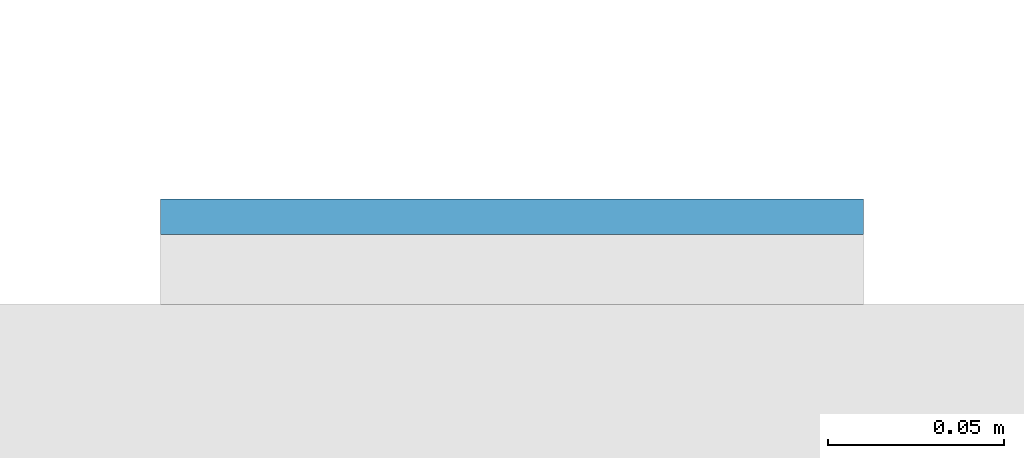
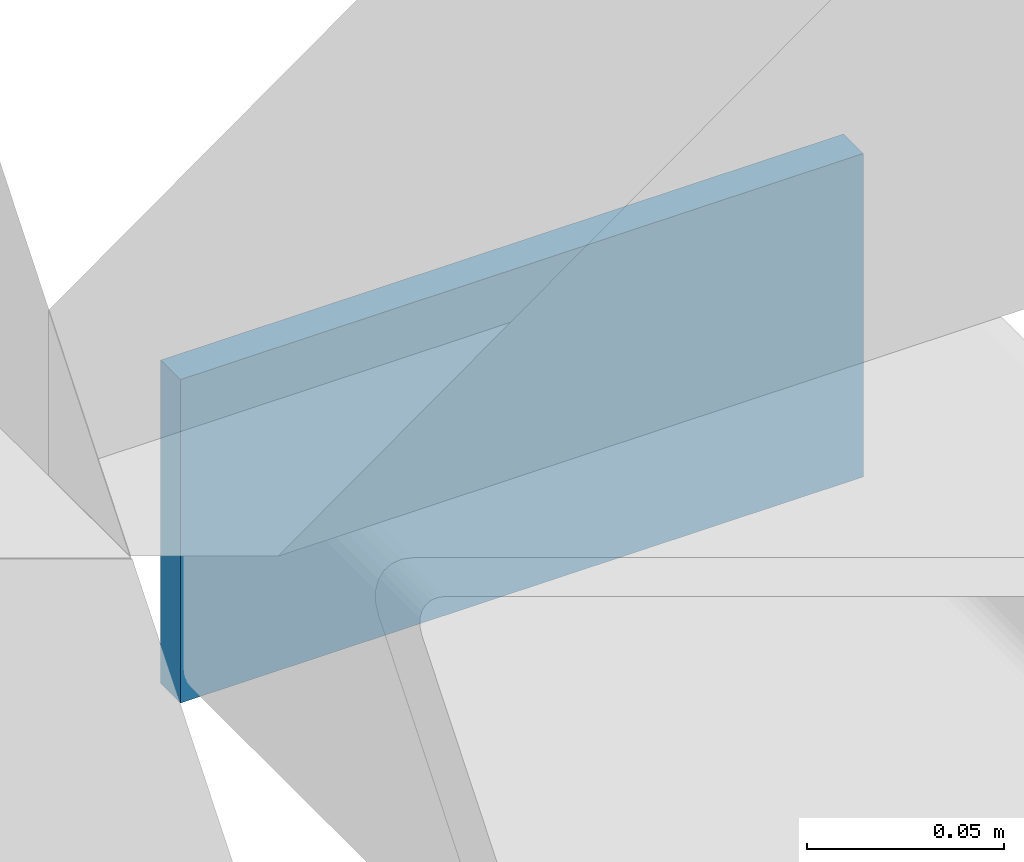
# One storey, part 6 of 12: 1 plate.
"""IFC4 building model written with IfcOpenShell, lengths in metres."""

from ifc_helpers import new_model, si_unit, direction, frame, origin, origin_2d, place, context, subcontext, project, spatial, rectangle, extrude, material, layer, layer_set, type_object, element, save


model = new_model("IFC4")

# Units and contexts
model_context = context("Model", 3, precision=1e-05, world=origin(), true_north=direction((0.0, 1.0)))
body_context = subcontext(model_context, "Body", "Model", "MODEL_VIEW")
ifc_project = project(units=[si_unit("LENGTHUNIT", "METRE"), si_unit("AREAUNIT", "SQUARE_METRE"), si_unit("VOLUMEUNIT", "CUBIC_METRE"), si_unit("PLANEANGLEUNIT", "RADIAN"), si_unit("MASSUNIT", "GRAM", prefix="KILO")], contexts=[model_context])

# Site, building, storey
site_placement = place(None, origin())
site = spatial("IfcSite", under=ifc_project, at=site_placement, CompositionType="ELEMENT")
building_placement = place(site_placement, origin())
building = spatial("IfcBuilding", under=site, at=building_placement, Name="Cleftline Residences", CompositionType="ELEMENT")
storey_placement = place(building_placement, frame((0.0, 0.0, 282.60009765625)))
storey = spatial("IfcBuildingStorey", under=building, at=storey_placement, Name="L74", CompositionType="ELEMENT", Elevation=282.60009765625)

# Plate
ifc_material = material(Name="Steel S355, hot-dip galvanised", Category="steel")
ifc_layer = layer(ifc_material, 0.010009765625)
ifc_layer_set = layer_set([ifc_layer], Name="BAGUETTE CARRIER END PLATE 200X100X10")
plate_type = type_object("IfcPlateType", Name="BAGUETTE CARRIER END PLATE 200X100X10", PredefinedType="USERDEFINED", material=ifc_layer_set)
plate_placement = place(storey_placement, frame((66.85009765625, 44.304931640625, -0.10009765625), z_axis=(0.0, 0.0, 1.0), x_axis=(1.0, 0.0, 0.0)))
element("IfcPlate", 1, at=plate_placement, inside=storey, type_object=plate_type, Name="Baguette carrier end plate", ObjectType="BAGUETTE CARRIER END PLATE", PredefinedType="USERDEFINED", context=body_context, shape_type="SweptSolid", body=[
    extrude(rectangle(XDim=0.199951171875, YDim=0.010009765625, at=origin_2d()), origin(), (0.0, 0.0, 1.0), 0.10009765625),
])

save(model, "model.ifc")
